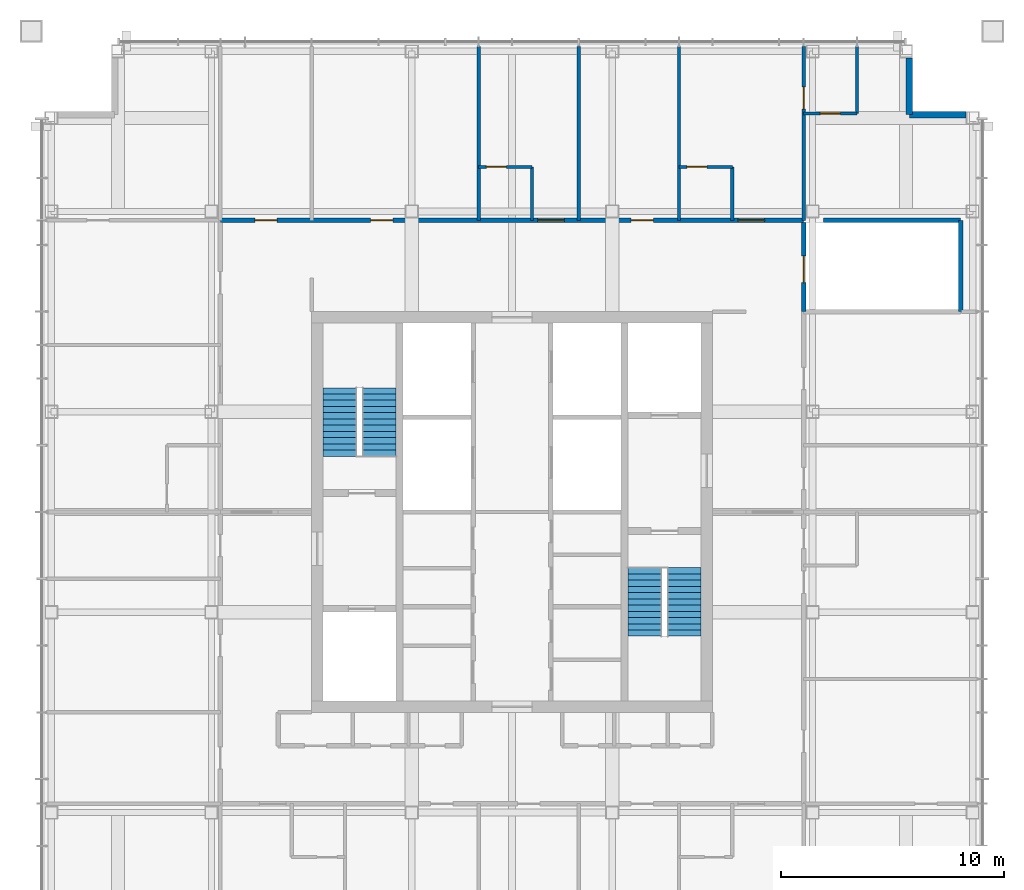
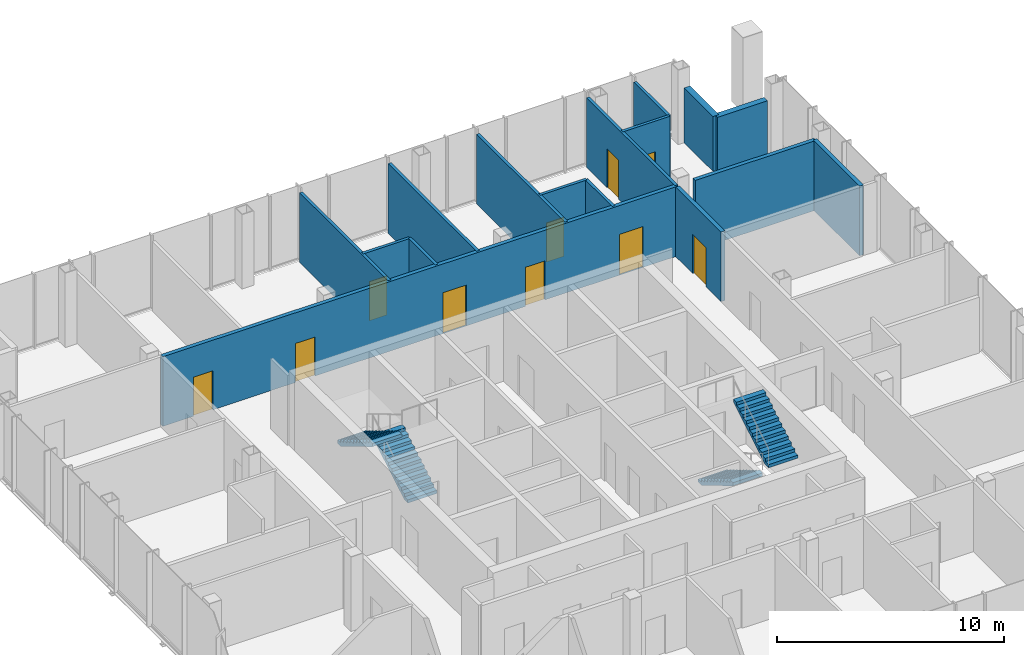
# One storey, part 10 of 12: 16 walls, 10 doors, 4 stair flights, 10 openings, 2 elements without a shape of their own.
"""IFC4 building model written with IfcOpenShell, lengths in metres."""

from ifc_helpers import new_model, si_unit, direction, frame, frame_2d, origin, place, context, subcontext, project, spatial, polyline, rectangle, outline, extrude, material, layer, layer_set, type_object, element, fill, aggregate, save


model = new_model("IFC4")

# Units and contexts
model_context = context("Model", 3, precision=1e-05, world=origin(), true_north=direction((0.0, 1.0)))
body_context = subcontext(model_context, "Body", "Model", "MODEL_VIEW")
ifc_project = project(units=[si_unit("LENGTHUNIT", "METRE"), si_unit("AREAUNIT", "SQUARE_METRE"), si_unit("VOLUMEUNIT", "CUBIC_METRE"), si_unit("PLANEANGLEUNIT", "RADIAN"), si_unit("MASSUNIT", "GRAM", prefix="KILO")], contexts=[model_context])

# Site, building, storey
site_placement = place(None, origin())
site = spatial("IfcSite", under=ifc_project, at=site_placement, CompositionType="ELEMENT")
building_placement = place(site_placement, origin())
building = spatial("IfcBuilding", under=site, at=building_placement, Name="Malebo Sky Hospital", CompositionType="ELEMENT")
storey_placement = place(building_placement, frame((0.0, 0.0, 286.0)))
storey = spatial("IfcBuildingStorey", under=building, at=storey_placement, Name="L69", CompositionType="ELEMENT", Elevation=286.0)

# Wall, openings, doors
ifc_material_1 = material(Name="Gypsum board on steel studs", Category="steel")
ifc_layer_1 = layer(ifc_material_1, 0.199951171875)
ifc_layer_set_1 = layer_set([ifc_layer_1], Name="CORRIDOR WALL 200")
wall_type_1 = type_object("IfcWallType", Name="CORRIDOR WALL 200", PredefinedType="PARTITIONING", material=ifc_layer_set_1)
wall_1_placement = place(storey_placement, frame((46.89990234375, 75.10009765625, 0.0), z_axis=(0.0, 0.0, 1.0), x_axis=(1.0, 0.0, 0.0)))
wall_1 = element("IfcWall", 1, at=wall_1_placement, inside=storey, type_object=wall_type_1, Name="Corridor Wall 200 NCO", PredefinedType="PARTITIONING", context=body_context, shape_type="SweptSolid", body=[
    extrude(rectangle(XDim=26.2001953125, YDim=0.199951171875, at=frame_2d((13.10009765625, 0.0))), origin(), (0.0, 0.0, 1.0), 3.75),
])
opening_1_placement = place(wall_1_placement, frame((1.550048828125, 0.0, 0.0)))
opening_1 = element("IfcOpeningElement", 2, at=opening_1_placement, cuts=wall_1, Name="Opening D03", PredefinedType="OPENING", context=body_context, shape_type="SweptSolid", body=[
    extrude(rectangle(XDim=1.0, YDim=2.10009765625, at=frame_2d((0.5, 1.050048828125))), frame((0.0, 0.10986328125, 0.0), z_axis=(0.0, -1.0, 0.0), x_axis=(1.0, 0.0, 0.0)), (0.0, 0.0, 1.0), 0.219970703125),
])
opening_2_placement = place(wall_1_placement, frame((6.75, 0.0, 0.0)))
opening_2 = element("IfcOpeningElement", 3, at=opening_2_placement, cuts=wall_1, Name="Opening D03", PredefinedType="OPENING", context=body_context, shape_type="SweptSolid", body=[
    extrude(rectangle(XDim=1.0, YDim=2.10009765625, at=frame_2d((0.5, 1.050048828125))), frame((0.0, 0.10986328125, 0.0), z_axis=(0.0, -1.0, 0.0), x_axis=(1.0, 0.0, 0.0)), (0.0, 0.0, 1.0), 0.219970703125),
])
opening_3_placement = place(wall_1_placement, frame((14.25, 0.0, 0.0)))
opening_3 = element("IfcOpeningElement", 4, at=opening_3_placement, cuts=wall_1, Name="Opening D01", PredefinedType="OPENING", context=body_context, shape_type="SweptSolid", body=[
    extrude(rectangle(XDim=1.199951171875, YDim=2.199951171875, at=frame_2d((0.60009765625, 1.10009765625))), frame((0.0, 0.10986328125, 0.0), z_axis=(0.0, -1.0, 0.0), x_axis=(1.0, 0.0, 0.0)), (0.0, 0.0, 1.0), 0.219970703125),
])
opening_4_placement = place(wall_1_placement, frame((18.449951171875, 0.0, 0.0)))
opening_4 = element("IfcOpeningElement", 5, at=opening_4_placement, cuts=wall_1, Name="Opening D03", PredefinedType="OPENING", context=body_context, shape_type="SweptSolid", body=[
    extrude(rectangle(XDim=1.0, YDim=2.10009765625, at=frame_2d((0.5, 1.050048828125))), frame((0.0, 0.10986328125, 0.0), z_axis=(0.0, -1.0, 0.0), x_axis=(1.0, 0.0, 0.0)), (0.0, 0.0, 1.0), 0.219970703125),
])
opening_5_placement = place(wall_1_placement, frame((23.25, 0.0, 0.0)))
opening_5 = element("IfcOpeningElement", 6, at=opening_5_placement, cuts=wall_1, Name="Opening D01", PredefinedType="OPENING", context=body_context, shape_type="SweptSolid", body=[
    extrude(rectangle(XDim=1.199951171875, YDim=2.199951171875, at=frame_2d((0.60009765625, 1.10009765625))), frame((0.0, 0.10986328125, 0.0), z_axis=(0.0, -1.0, 0.0), x_axis=(1.0, 0.0, 0.0)), (0.0, 0.0, 1.0), 0.219970703125),
])
ifc_material_2 = material(Name="Hardwood-faced door leaf in steel frame", Category="steel")
door_type_1 = type_object("IfcDoorType", Name="BED DOOR 1200", OperationType="SINGLE_SWING_LEFT", PredefinedType="DOOR", material=ifc_material_2)
door_1_placement = place(opening_3_placement, origin())
door_1 = element("IfcDoor", 7, at=door_1_placement, inside=storey, type_object=door_type_1, Name="Single bed room door", OperationType="SINGLE_SWING_LEFT", OverallHeight=2.199951171875, OverallWidth=1.199951171875, PredefinedType="DOOR", context=body_context, shape_type="SweptSolid", body=[
    extrude(rectangle(XDim=1.199951171875, YDim=2.199951171875, at=frame_2d((0.60009765625, 1.10009765625))), frame((0.0, 0.02490234375, 0.0), z_axis=(0.0, -1.0, 0.0), x_axis=(1.0, 0.0, 0.0)), (0.0, 0.0, 1.0), 0.050048828125),
])
fill(opening_3, door_1)
door_2_placement = place(opening_5_placement, origin())
door_2 = element("IfcDoor", 8, at=door_2_placement, inside=storey, type_object=door_type_1, Name="Family suite door", OperationType="SINGLE_SWING_LEFT", OverallHeight=2.199951171875, OverallWidth=1.199951171875, PredefinedType="DOOR", context=body_context, shape_type="SweptSolid", body=[
    extrude(rectangle(XDim=1.199951171875, YDim=2.199951171875, at=frame_2d((0.60009765625, 1.10009765625))), frame((0.0, 0.02490234375, 0.0), z_axis=(0.0, -1.0, 0.0), x_axis=(1.0, 0.0, 0.0)), (0.0, 0.0, 1.0), 0.050048828125),
])
fill(opening_5, door_2)
door_type_2 = type_object("IfcDoorType", Name="ROOM DOOR 1000", OperationType="SINGLE_SWING_LEFT", PredefinedType="DOOR", material=ifc_material_2)
door_3_placement = place(opening_1_placement, origin())
door_3 = element("IfcDoor", 9, at=door_3_placement, inside=storey, type_object=door_type_2, Name="Ward office door", OperationType="SINGLE_SWING_LEFT", OverallHeight=2.10009765625, OverallWidth=1.0, PredefinedType="DOOR", context=body_context, shape_type="SweptSolid", body=[
    extrude(rectangle(XDim=1.0, YDim=2.10009765625, at=frame_2d((0.5, 1.050048828125))), frame((0.0, 0.02490234375, 0.0), z_axis=(0.0, -1.0, 0.0), x_axis=(1.0, 0.0, 0.0)), (0.0, 0.0, 1.0), 0.050048828125),
])
fill(opening_1, door_3)
door_4_placement = place(opening_2_placement, origin())
door_4 = element("IfcDoor", 10, at=door_4_placement, inside=storey, type_object=door_type_2, Name="Prayer room door", OperationType="SINGLE_SWING_LEFT", OverallHeight=2.10009765625, OverallWidth=1.0, PredefinedType="DOOR", context=body_context, shape_type="SweptSolid", body=[
    extrude(rectangle(XDim=1.0, YDim=2.10009765625, at=frame_2d((0.5, 1.050048828125))), frame((0.0, 0.02490234375, 0.0), z_axis=(0.0, -1.0, 0.0), x_axis=(1.0, 0.0, 0.0)), (0.0, 0.0, 1.0), 0.050048828125),
])
fill(opening_2, door_4)
door_5_placement = place(opening_4_placement, origin())
door_5 = element("IfcDoor", 11, at=door_5_placement, inside=storey, type_object=door_type_2, Name="Nurse station door", OperationType="SINGLE_SWING_RIGHT", OverallHeight=2.10009765625, OverallWidth=1.0, PredefinedType="DOOR", context=body_context, shape_type="SweptSolid", body=[
    extrude(rectangle(XDim=1.0, YDim=2.10009765625, at=frame_2d((0.5, 1.050048828125))), frame((0.0, 0.02490234375, 0.0), z_axis=(0.0, -1.0, 0.0), x_axis=(1.0, 0.0, 0.0)), (0.0, 0.0, 1.0), 0.050048828125),
])
fill(opening_4, door_5)

# Walls
ifc_material_3 = material(Name="Anodised aluminium rainscreen on steel framing", Category="steel")
ifc_layer_2 = layer(ifc_material_3, 0.300048828125)
ifc_layer_set_2 = layer_set([ifc_layer_2], Name="NOTCH RAINSCREEN WALL 300")
wall_type_2 = type_object("IfcWallType", Name="NOTCH RAINSCREEN WALL 300", PredefinedType="ELEMENTEDWALL", material=ifc_layer_set_2)
for number, where, z_axis, x_axis, name in (
    (12, (77.85009765625, 82.39990234375, 0.0), (0.0, 0.0, 1.0), (0.0, -1.0, 0.0), "Notch rainscreen wall N1 L69"),
    (13, (77.85009765625, 79.85009765625, 0.0), (0.0, 0.0, 1.0), (1.0, 0.0, 0.0), "Notch rainscreen wall N2 L69"),
):
    element("IfcWall", number, at=place(storey_placement, frame(where, z_axis=z_axis, x_axis=x_axis)), inside=storey, type_object=wall_type_2, Name=name, PredefinedType="ELEMENTEDWALL", context=body_context, shape_type="SweptSolid", body=[
        extrude(rectangle(XDim=2.5498046875, YDim=0.300048828125, at=frame_2d((1.27490234375, 0.0))), origin(), (0.0, 0.0, 1.0), 2.949951171875),
    ])
ifc_layer_3 = layer(ifc_material_1, 0.14990234375)
ifc_layer_set_3 = layer_set([ifc_layer_3], Name="PARTITION 150")
wall_type_3 = type_object("IfcWallType", Name="PARTITION 150", PredefinedType="PARTITIONING", material=ifc_layer_set_3)
for number, where, z_axis, x_axis, name in (
    (14, (58.5, 75.10009765625, 0.0), (0.0, 0.0, 1.0), (0.0, 1.0, 0.0), "Partition 150 NP-1.5"),
    (15, (63.0, 75.10009765625, 0.0), (0.0, 0.0, 1.0), (0.0, 1.0, 0.0), "Partition 150 NP+3.0"),
    (16, (67.5, 75.10009765625, 0.0), (0.0, 0.0, 1.0), (0.0, 1.0, 0.0), "Partition 150 NP+7.5"),
):
    element("IfcWall", number, at=place(storey_placement, frame(where, z_axis=z_axis, x_axis=x_axis)), inside=storey, type_object=wall_type_3, Name=name, PredefinedType="PARTITIONING", context=body_context, shape_type="SweptSolid", body=[
        extrude(rectangle(XDim=7.7998046875, YDim=0.14990234375, at=frame_2d((3.89990234375, 0.0))), origin(), (0.0, 0.0, 1.0), 3.75),
    ])

# Wall, opening, door
wall_2_placement = place(storey_placement, frame((58.5, 77.5, 0.0), z_axis=(0.0, 0.0, 1.0), x_axis=(1.0, 0.0, 0.0)))
wall_2 = element("IfcWall", 17, at=wall_2_placement, inside=storey, type_object=wall_type_3, Name="Partition 150 NE2F", PredefinedType="PARTITIONING", context=body_context, shape_type="SweptSolid", body=[
    extrude(rectangle(XDim=2.39990234375, YDim=0.14990234375, at=frame_2d((1.199951171875, 0.0))), origin(), (0.0, 0.0, 1.0), 3.75),
])
opening_6_placement = place(wall_2_placement, frame((0.35009765625, 0.0, 0.0)))
opening_6 = element("IfcOpeningElement", 18, at=opening_6_placement, cuts=wall_2, Name="Opening D02", PredefinedType="OPENING", context=body_context, shape_type="SweptSolid", body=[
    extrude(rectangle(XDim=0.89990234375, YDim=2.10009765625, at=frame_2d((0.449951171875, 1.050048828125))), frame((0.0, 0.0849609375, 0.0), z_axis=(0.0, -1.0, 0.0), x_axis=(1.0, 0.0, 0.0)), (0.0, 0.0, 1.0), 0.169921875),
])
door_type_3 = type_object("IfcDoorType", Name="EN-SUITE DOOR 900", OperationType="SINGLE_SWING_LEFT", PredefinedType="DOOR", material=ifc_material_2)
door_6_placement = place(opening_6_placement, origin())
door_6 = element("IfcDoor", 19, at=door_6_placement, inside=storey, type_object=door_type_3, Name="En-suite door", OperationType="SINGLE_SWING_LEFT", OverallHeight=2.10009765625, OverallWidth=0.89990234375, PredefinedType="DOOR", context=body_context, shape_type="SweptSolid", body=[
    extrude(rectangle(XDim=0.89990234375, YDim=2.10009765625, at=frame_2d((0.449951171875, 1.050048828125))), frame((0.0, 0.02490234375, 0.0), z_axis=(0.0, -1.0, 0.0), x_axis=(1.0, 0.0, 0.0)), (0.0, 0.0, 1.0), 0.050048828125),
])
fill(opening_6, door_6)

# Wall
wall_3_placement = place(storey_placement, frame((60.89990234375, 75.10009765625, 0.0), z_axis=(0.0, 0.0, 1.0), x_axis=(0.0, 1.0, 0.0)))
element("IfcWall", 20, at=wall_3_placement, inside=storey, type_object=wall_type_3, Name="Partition 150 NE2S", PredefinedType="PARTITIONING", context=body_context, shape_type="SweptSolid", body=[
    extrude(rectangle(XDim=2.39990234375, YDim=0.14990234375, at=frame_2d((1.199951171875, 0.0))), origin(), (0.0, 0.0, 1.0), 3.75),
])

# Wall, opening, door
wall_4_placement = place(storey_placement, frame((73.10009765625, 75.10009765625, 0.0), z_axis=(0.0, 0.0, 1.0), x_axis=(0.0, 1.0, 0.0)))
wall_4 = element("IfcWall", 21, at=wall_4_placement, inside=storey, type_object=wall_type_3, Name="Partition 150 NK", PredefinedType="PARTITIONING", context=body_context, shape_type="SweptSolid", body=[
    extrude(rectangle(XDim=7.7998046875, YDim=0.14990234375, at=frame_2d((3.89990234375, 0.0))), origin(), (0.0, 0.0, 1.0), 3.75),
])
opening_7_placement = place(wall_4_placement, frame((5.0, 0.0, 0.0)))
opening_7 = element("IfcOpeningElement", 22, at=opening_7_placement, cuts=wall_4, Name="Opening D03", PredefinedType="OPENING", context=body_context, shape_type="SweptSolid", body=[
    extrude(rectangle(XDim=1.0, YDim=2.10009765625, at=frame_2d((0.5, 1.050048828125))), frame((0.0, 0.0849609375, 0.0), z_axis=(0.0, -1.0, 0.0), x_axis=(1.0, 0.0, 0.0)), (0.0, 0.0, 1.0), 0.169921875),
])
door_7_placement = place(opening_7_placement, origin())
door_7 = element("IfcDoor", 23, at=door_7_placement, inside=storey, type_object=door_type_2, Name="Family suite sitting room door", OperationType="SINGLE_SWING_LEFT", OverallHeight=2.10009765625, OverallWidth=1.0, PredefinedType="DOOR", context=body_context, shape_type="SweptSolid", body=[
    extrude(rectangle(XDim=1.0, YDim=2.10009765625, at=frame_2d((0.5, 1.050048828125))), frame((0.0, 0.02490234375, 0.0), z_axis=(0.0, -1.0, 0.0), x_axis=(1.0, 0.0, 0.0)), (0.0, 0.0, 1.0), 0.050048828125),
])
fill(opening_7, door_7)

wall_5_placement = place(storey_placement, frame((73.10009765625, 79.89990234375, 0.0), z_axis=(0.0, 0.0, 1.0), x_axis=(1.0, 0.0, 0.0)))
wall_5 = element("IfcWall", 24, at=wall_5_placement, inside=storey, type_object=wall_type_3, Name="Partition 150 NKF", PredefinedType="PARTITIONING", context=body_context, shape_type="SweptSolid", body=[
    extrude(rectangle(XDim=2.39990234375, YDim=0.14990234375, at=frame_2d((1.199951171875, 0.0))), origin(), (0.0, 0.0, 1.0), 3.75),
])
opening_8_placement = place(wall_5_placement, frame((0.75, 0.0, 0.0)))
opening_8 = element("IfcOpeningElement", 25, at=opening_8_placement, cuts=wall_5, Name="Opening D02", PredefinedType="OPENING", context=body_context, shape_type="SweptSolid", body=[
    extrude(rectangle(XDim=0.89990234375, YDim=2.10009765625, at=frame_2d((0.449951171875, 1.050048828125))), frame((0.0, 0.0849609375, 0.0), z_axis=(0.0, -1.0, 0.0), x_axis=(1.0, 0.0, 0.0)), (0.0, 0.0, 1.0), 0.169921875),
])
door_8_placement = place(opening_8_placement, origin())
door_8 = element("IfcDoor", 26, at=door_8_placement, inside=storey, type_object=door_type_3, Name="Shower room door", OperationType="SINGLE_SWING_LEFT", OverallHeight=2.10009765625, OverallWidth=0.89990234375, PredefinedType="DOOR", context=body_context, shape_type="SweptSolid", body=[
    extrude(rectangle(XDim=0.89990234375, YDim=2.10009765625, at=frame_2d((0.449951171875, 1.050048828125))), frame((0.0, 0.02490234375, 0.0), z_axis=(0.0, -1.0, 0.0), x_axis=(1.0, 0.0, 0.0)), (0.0, 0.0, 1.0), 0.050048828125),
])
fill(opening_8, door_8)

# Wall
wall_6_placement = place(storey_placement, frame((75.5, 79.89990234375, 0.0), z_axis=(0.0, 0.0, 1.0), x_axis=(0.0, 1.0, 0.0)))
element("IfcWall", 27, at=wall_6_placement, inside=storey, type_object=wall_type_3, Name="Partition 150 NKS", PredefinedType="PARTITIONING", context=body_context, shape_type="SweptSolid", body=[
    extrude(rectangle(XDim=3.0, YDim=0.14990234375, at=frame_2d((1.5, 0.0))), origin(), (0.0, 0.0, 1.0), 3.75),
])

# Wall, opening, door
wall_7_placement = place(storey_placement, frame((67.5, 77.5, 0.0), z_axis=(0.0, 0.0, 1.0), x_axis=(1.0, 0.0, 0.0)))
wall_7 = element("IfcWall", 28, at=wall_7_placement, inside=storey, type_object=wall_type_3, Name="Partition 150 NE4F", PredefinedType="PARTITIONING", context=body_context, shape_type="SweptSolid", body=[
    extrude(rectangle(XDim=2.39990234375, YDim=0.14990234375, at=frame_2d((1.199951171875, 0.0))), origin(), (0.0, 0.0, 1.0), 3.75),
])
opening_9_placement = place(wall_7_placement, frame((0.35009765625, 0.0, 0.0)))
opening_9 = element("IfcOpeningElement", 29, at=opening_9_placement, cuts=wall_7, Name="Opening D02", PredefinedType="OPENING", context=body_context, shape_type="SweptSolid", body=[
    extrude(rectangle(XDim=0.89990234375, YDim=2.10009765625, at=frame_2d((0.449951171875, 1.050048828125))), frame((0.0, 0.0849609375, 0.0), z_axis=(0.0, -1.0, 0.0), x_axis=(1.0, 0.0, 0.0)), (0.0, 0.0, 1.0), 0.169921875),
])
door_9_placement = place(opening_9_placement, origin())
door_9 = element("IfcDoor", 30, at=door_9_placement, inside=storey, type_object=door_type_3, Name="En-suite door", OperationType="SINGLE_SWING_LEFT", OverallHeight=2.10009765625, OverallWidth=0.89990234375, PredefinedType="DOOR", context=body_context, shape_type="SweptSolid", body=[
    extrude(rectangle(XDim=0.89990234375, YDim=2.10009765625, at=frame_2d((0.449951171875, 1.050048828125))), frame((0.0, 0.02490234375, 0.0), z_axis=(0.0, -1.0, 0.0), x_axis=(1.0, 0.0, 0.0)), (0.0, 0.0, 1.0), 0.050048828125),
])
fill(opening_9, door_9)

# Wall
wall_8_placement = place(storey_placement, frame((69.89990234375, 75.10009765625, 0.0), z_axis=(0.0, 0.0, 1.0), x_axis=(0.0, 1.0, 0.0)))
element("IfcWall", 31, at=wall_8_placement, inside=storey, type_object=wall_type_3, Name="Partition 150 NE4S", PredefinedType="PARTITIONING", context=body_context, shape_type="SweptSolid", body=[
    extrude(rectangle(XDim=2.39990234375, YDim=0.14990234375, at=frame_2d((1.199951171875, 0.0))), origin(), (0.0, 0.0, 1.0), 3.75),
])

# Wall, opening, door
ifc_material_4 = material(Name="Concrete C40/50", Category="concrete")
ifc_layer_4 = layer(ifc_material_4, 0.199951171875)
ifc_layer_set_4 = layer_set([ifc_layer_4], Name="STAIR ENCLOSURE WALL 200")
wall_type_4 = type_object("IfcWallType", Name="STAIR ENCLOSURE WALL 200", PredefinedType="SOLIDWALL", material=ifc_layer_set_4)
wall_9_placement = place(storey_placement, frame((73.10009765625, 75.0, 0.0), z_axis=(0.0, 0.0, 1.0), x_axis=(0.0, -1.0, 0.0)))
wall_9 = element("IfcWall", 32, at=wall_9_placement, inside=storey, type_object=wall_type_4, Name="Stair Enclosure Wall 200 ST3W", PredefinedType="SOLIDWALL", context=body_context, shape_type="SweptSolid", body=[
    extrude(rectangle(XDim=4.0, YDim=0.199951171875, at=frame_2d((2.0, 0.0))), origin(), (0.0, 0.0, 1.0), 3.75),
])
opening_10_placement = place(wall_9_placement, frame((1.5, 0.0, 0.0)))
opening_10 = element("IfcOpeningElement", 33, at=opening_10_placement, cuts=wall_9, Name="Opening D08", PredefinedType="OPENING", context=body_context, shape_type="SweptSolid", body=[
    extrude(rectangle(XDim=1.199951171875, YDim=2.10009765625, at=frame_2d((0.60009765625, 1.050048828125))), frame((0.0, 0.10986328125, 0.0), z_axis=(0.0, -1.0, 0.0), x_axis=(1.0, 0.0, 0.0)), (0.0, 0.0, 1.0), 0.219970703125),
])
door_type_4 = type_object("IfcDoorType", Name="STAIR DOOR 1200", OperationType="SINGLE_SWING_LEFT", PredefinedType="DOOR", material=ifc_material_2)
door_10_placement = place(opening_10_placement, origin())
door_10 = element("IfcDoor", 34, at=door_10_placement, inside=storey, type_object=door_type_4, Name="Stair S3 door", OperationType="SINGLE_SWING_RIGHT", OverallHeight=2.10009765625, OverallWidth=1.199951171875, PredefinedType="DOOR", context=body_context, shape_type="SweptSolid", body=[
    extrude(rectangle(XDim=1.199951171875, YDim=2.10009765625, at=frame_2d((0.60009765625, 1.050048828125))), frame((0.0, 0.02490234375, 0.0), z_axis=(0.0, -1.0, 0.0), x_axis=(1.0, 0.0, 0.0)), (0.0, 0.0, 1.0), 0.050048828125),
])
fill(opening_10, door_10)

# Walls
wall_10_placement = place(storey_placement, frame((80.14990234375, 71.0, 0.0), z_axis=(0.0, 0.0, 1.0), x_axis=(0.0, 1.0, 0.0)))
element("IfcWall", 35, at=wall_10_placement, inside=storey, type_object=wall_type_4, Name="Stair Enclosure Wall 200 ST3EE", PredefinedType="SOLIDWALL", context=body_context, shape_type="SweptSolid", body=[
    extrude(rectangle(XDim=4.10009765625, YDim=0.199951171875, at=frame_2d((2.050048828125, 0.0))), origin(), (0.0, 0.0, 1.0), 3.75),
])
wall_11_placement = place(storey_placement, frame((74.0, 75.10009765625, 0.0), z_axis=(0.0, 0.0, 1.0), x_axis=(1.0, 0.0, 0.0)))
element("IfcWall", 36, at=wall_11_placement, inside=storey, type_object=wall_type_4, Name="Stair Enclosure Wall 200 ST3N", PredefinedType="SOLIDWALL", context=body_context, shape_type="SweptSolid", body=[
    extrude(rectangle(XDim=6.14990234375, YDim=0.199951171875, at=frame_2d((3.074951171875, 0.0))), origin(), (0.0, 0.0, 1.0), 3.75),
])

# Stair, stair flights
stair_type = type_object("IfcStairType", Name="HALF-TURN STAIR 1500 R167", PredefinedType="HALF_TURN_STAIR", material=ifc_material_4)
stair_1_placement = place(storey_placement, origin())
stair_1 = element("IfcStair", 37, at=stair_1_placement, inside=storey, type_object=stair_type, Name="Stair S1 L69 type ST1", PredefinedType="HALF_TURN_STAIR")
stair_flight_type = type_object("IfcStairFlightType", Name="STAIR FLIGHT 1500 R167", PredefinedType="STRAIGHT", material=ifc_material_4)
stair_flight_1_placement = place(storey_placement, frame((54.050048828125, 64.5, 0.0), z_axis=(0.0, 0.0, 1.0), x_axis=(0.0, 1.0, 0.0)))
stair_flight_1 = element("IfcStairFlight", 38, at=stair_flight_1_placement, type_object=stair_flight_type, Name="S1 flight 1 type SF1", NumberOfRisers=12, NumberOfTreads=11, PredefinedType="STRAIGHT", RiserHeight=0.166666667, TreadLength=0.28, context=body_context, shape_type="SweptSolid", body=[
    extrude(outline(polyline([(0.0, 0.0), (0.0, 0.166748046875), (0.280029296875, 0.166748046875), (0.280029296875, 0.333251953125), (0.56005859375, 0.333251953125), (0.56005859375, 0.5), (0.840087890625, 0.5), (0.840087890625, 0.666748046875), (1.1201171875, 0.666748046875), (1.1201171875, 0.833251953125), (1.39990234375, 0.833251953125), (1.39990234375, 1.0), (1.679931640625, 1.0), (1.679931640625, 1.166748046875), (1.9599609375, 1.166748046875), (1.9599609375, 1.333251953125), (2.239990234375, 1.333251953125), (2.239990234375, 1.5), (2.52001953125, 1.5), (2.52001953125, 1.666748046875), (2.800048828125, 1.666748046875), (2.800048828125, 1.833251953125), (3.080078125, 1.833251953125), (3.080078125, 2.0), (3.080078125, 1.658935546875), (0.29296875, 0.0), (0.0, 0.0)])), frame((0.0, 0.75, 0.0), z_axis=(0.0, -1.0, 0.0), x_axis=(1.0, 0.0, 0.0)), (0.0, 0.0, 1.0), 1.5),
])
stair_flight_2_placement = place(storey_placement, frame((52.25, 67.580078125, 2.0), z_axis=(0.0, 0.0, 1.0), x_axis=(0.0, -1.0, 0.0)))
stair_flight_2 = element("IfcStairFlight", 39, at=stair_flight_2_placement, type_object=stair_flight_type, Name="S1 flight 2 type SF1", NumberOfRisers=12, NumberOfTreads=11, PredefinedType="STRAIGHT", RiserHeight=0.166666667, TreadLength=0.28, context=body_context, shape_type="SweptSolid", body=[
    extrude(outline(polyline([(0.0, 0.0), (0.0, 0.166748046875), (0.280029296875, 0.166748046875), (0.280029296875, 0.333251953125), (0.56005859375, 0.333251953125), (0.56005859375, 0.5), (0.840087890625, 0.5), (0.840087890625, 0.666748046875), (1.1201171875, 0.666748046875), (1.1201171875, 0.833251953125), (1.39990234375, 0.833251953125), (1.39990234375, 1.0), (1.679931640625, 1.0), (1.679931640625, 1.166748046875), (1.9599609375, 1.166748046875), (1.9599609375, 1.333251953125), (2.239990234375, 1.333251953125), (2.239990234375, 1.5), (2.52001953125, 1.5), (2.52001953125, 1.666748046875), (2.800048828125, 1.666748046875), (2.800048828125, 1.833251953125), (3.080078125, 1.833251953125), (3.080078125, 2.0), (3.080078125, 1.658935546875), (0.29296875, 0.0), (0.0, 0.0)])), frame((0.0, 0.75, 0.0), z_axis=(0.0, -1.0, 0.0), x_axis=(1.0, 0.0, 0.0)), (0.0, 0.0, 1.0), 1.5),
])
aggregate(stair_1, [stair_flight_1, stair_flight_2])

stair_2_placement = place(storey_placement, origin())
stair_2 = element("IfcStair", 40, at=stair_2_placement, inside=storey, type_object=stair_type, Name="Stair S2 L69 type ST1", PredefinedType="HALF_TURN_STAIR")
stair_flight_3_placement = place(storey_placement, frame((65.949951171875, 59.5, 0.0), z_axis=(0.0, 0.0, 1.0), x_axis=(0.0, -1.0, 0.0)))
stair_flight_3 = element("IfcStairFlight", 41, at=stair_flight_3_placement, type_object=stair_flight_type, Name="S2 flight 1 type SF1", NumberOfRisers=12, NumberOfTreads=11, PredefinedType="STRAIGHT", RiserHeight=0.166666667, TreadLength=0.28, context=body_context, shape_type="SweptSolid", body=[
    extrude(outline(polyline([(0.0, 0.0), (0.0, 0.166748046875), (0.280029296875, 0.166748046875), (0.280029296875, 0.333251953125), (0.56005859375, 0.333251953125), (0.56005859375, 0.5), (0.840087890625, 0.5), (0.840087890625, 0.666748046875), (1.1201171875, 0.666748046875), (1.1201171875, 0.833251953125), (1.39990234375, 0.833251953125), (1.39990234375, 1.0), (1.679931640625, 1.0), (1.679931640625, 1.166748046875), (1.9599609375, 1.166748046875), (1.9599609375, 1.333251953125), (2.239990234375, 1.333251953125), (2.239990234375, 1.5), (2.52001953125, 1.5), (2.52001953125, 1.666748046875), (2.800048828125, 1.666748046875), (2.800048828125, 1.833251953125), (3.080078125, 1.833251953125), (3.080078125, 2.0), (3.080078125, 1.658935546875), (0.29296875, 0.0), (0.0, 0.0)])), frame((0.0, 0.75, 0.0), z_axis=(0.0, -1.0, 0.0), x_axis=(1.0, 0.0, 0.0)), (0.0, 0.0, 1.0), 1.5),
])
stair_flight_4_placement = place(storey_placement, frame((67.75, 56.419921875, 2.0), z_axis=(0.0, 0.0, 1.0), x_axis=(0.0, 1.0, 0.0)))
stair_flight_4 = element("IfcStairFlight", 42, at=stair_flight_4_placement, type_object=stair_flight_type, Name="S2 flight 2 type SF1", NumberOfRisers=12, NumberOfTreads=11, PredefinedType="STRAIGHT", RiserHeight=0.166666667, TreadLength=0.28, context=body_context, shape_type="SweptSolid", body=[
    extrude(outline(polyline([(0.0, 0.0), (0.0, 0.166748046875), (0.280029296875, 0.166748046875), (0.280029296875, 0.333251953125), (0.56005859375, 0.333251953125), (0.56005859375, 0.5), (0.840087890625, 0.5), (0.840087890625, 0.666748046875), (1.1201171875, 0.666748046875), (1.1201171875, 0.833251953125), (1.39990234375, 0.833251953125), (1.39990234375, 1.0), (1.679931640625, 1.0), (1.679931640625, 1.166748046875), (1.9599609375, 1.166748046875), (1.9599609375, 1.333251953125), (2.239990234375, 1.333251953125), (2.239990234375, 1.5), (2.52001953125, 1.5), (2.52001953125, 1.666748046875), (2.800048828125, 1.666748046875), (2.800048828125, 1.833251953125), (3.080078125, 1.833251953125), (3.080078125, 2.0), (3.080078125, 1.658935546875), (0.29296875, 0.0), (0.0, 0.0)])), frame((0.0, 0.75, 0.0), z_axis=(0.0, -1.0, 0.0), x_axis=(1.0, 0.0, 0.0)), (0.0, 0.0, 1.0), 1.5),
])
aggregate(stair_2, [stair_flight_3, stair_flight_4])

save(model, "model.ifc")
